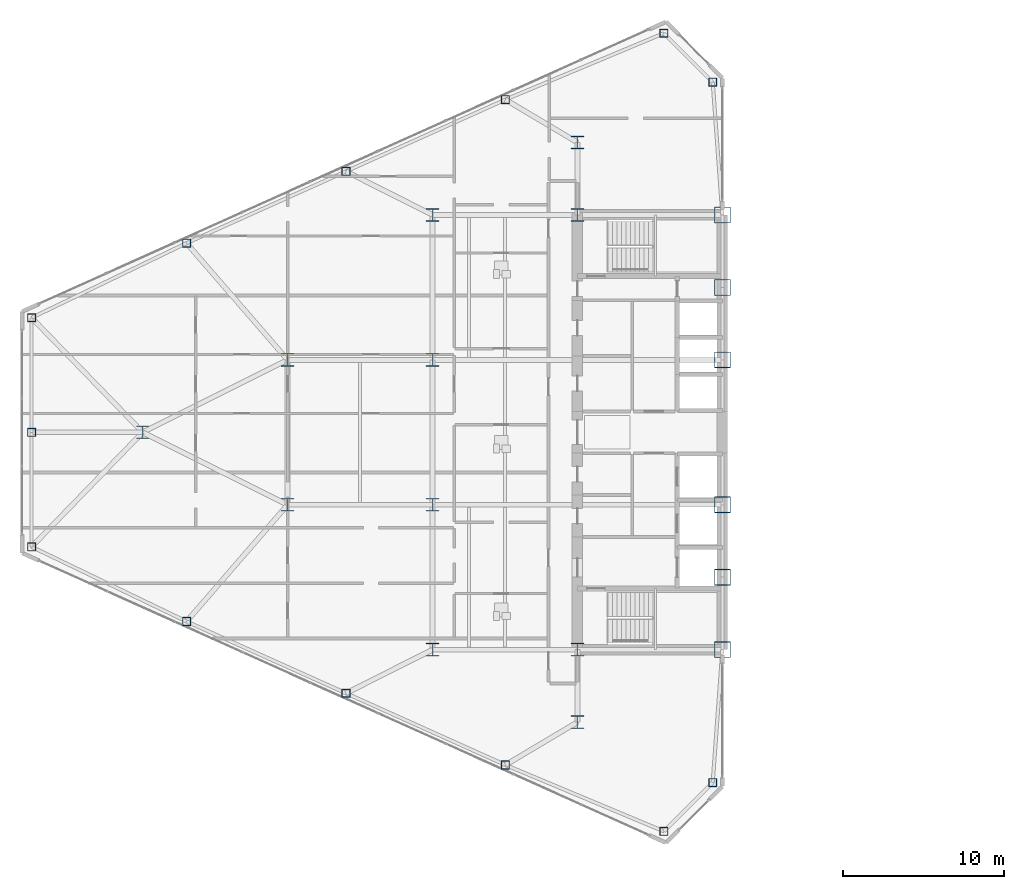
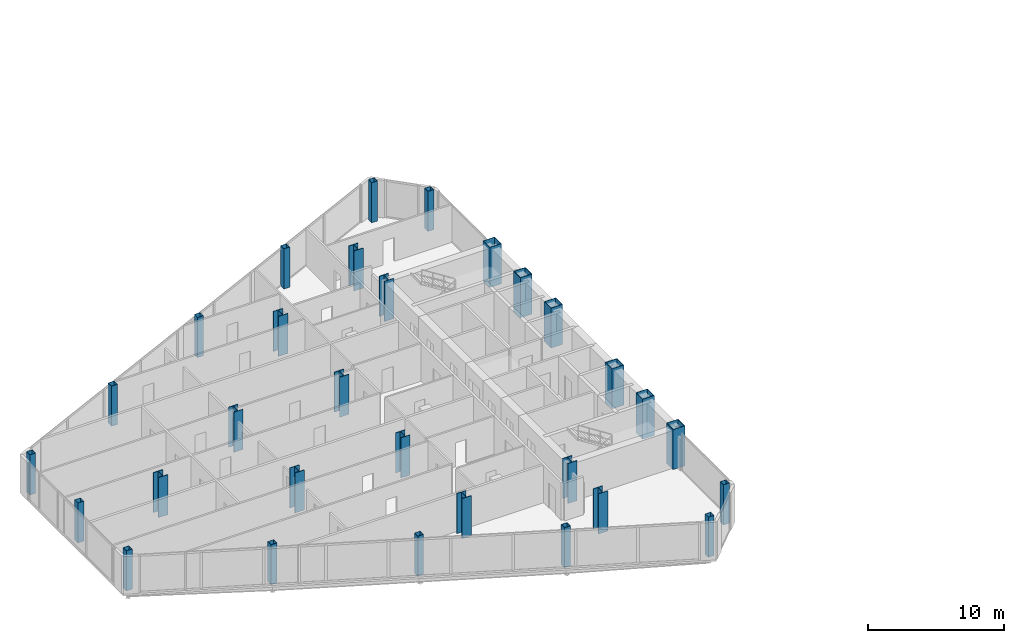
# One storey, part 1 of 27: 30 columns.
"""IFC4 building model written with IfcOpenShell, lengths in metres."""

import ifcopenshell
import ifcopenshell.guid

model = None  # the IFC model being written
_history = None  # IfcOwnerHistory: only IFC2X3 demands one
_inside = {}  # id of a spatial element -> (the spatial element, [elements in it])
_under = {}  # id of a project, library or spatial element -> (it, [spatial elements below it])
_declared = {}  # id of a project -> (the project, [libraries it declares])
_typed = {}  # id of a type object -> (the type object, [elements of that type])
_made_of = {}  # id of a material, layer set ... -> (it, [elements and type objects made of it])


def new_model(schema):
    """Start an empty IFC model of exactly this schema.

    Asked for "IFC4X3", IfcOpenShell would pick the latest addendum, in which some entities
    have other attributes; the version numbers below select the first issue.
    IFC2X3 requires an IfcOwnerHistory on every rooted entity: one is made here for all.
    """
    global model, _history
    if schema == "IFC4X3":
        model = ifcopenshell.file(schema_version=(4, 3, 0, 0))
    else:
        model = ifcopenshell.file(schema=schema)
    _inside.clear()
    _under.clear()
    _declared.clear()
    _typed.clear()
    _made_of.clear()
    _history = None
    if model.schema == "IFC2X3":
        org = make("IfcOrganization", Name="unknown")
        user = make(
            "IfcPersonAndOrganization",
            ThePerson=make("IfcPerson", FamilyName="unknown"),
            TheOrganization=org,
        )
        app = make(
            "IfcApplication",
            ApplicationDeveloper=org,
            Version="unknown",
            ApplicationFullName="unknown",
            ApplicationIdentifier="unknown",
        )
        _history = make(
            "IfcOwnerHistory",
            OwningUser=user,
            OwningApplication=app,
            ChangeAction="ADDED",
            CreationDate=0,
        )
    return model


def make(cls, **values):
    """One entity of the class cls with the attributes given. An attribute that is None is left unset."""
    return model.create_entity(
        cls, **{name: value for name, value in values.items() if value is not None}
    )


def rooted(cls, **values):
    """An entity with a GlobalId (a new one), such as an element, a storey or a relation."""
    return make(cls, GlobalId=ifcopenshell.guid.new(), OwnerHistory=_history, **values)


def si_unit(unit_type, name, prefix=None):
    """IfcSIUnit, for example si_unit("LENGTHUNIT", "METRE", prefix="MILLI")."""
    return make("IfcSIUnit", UnitType=unit_type, Prefix=prefix, Name=name)


def assignment(units):
    """IfcUnitAssignment: the units of a project."""
    return None if units is None else make("IfcUnitAssignment", Units=units)


def point(xyz):
    """IfcCartesianPoint."""
    return None if xyz is None else make("IfcCartesianPoint", Coordinates=xyz)


def direction(xyz):
    """IfcDirection."""
    return None if xyz is None else make("IfcDirection", DirectionRatios=xyz)


def frame(location, z_axis=None, x_axis=None):
    """IfcAxis2Placement3D, a coordinate frame: its origin and axes. An axis left out is left unset."""
    return make(
        "IfcAxis2Placement3D",
        Location=point(location),
        Axis=direction(z_axis),
        RefDirection=direction(x_axis),
    )


def frame_2d(location, x_axis=None):
    """IfcAxis2Placement2D, a coordinate frame in the plane: its origin and x axis."""
    return make(
        "IfcAxis2Placement2D", Location=point(location), RefDirection=direction(x_axis)
    )


def origin():
    """The frame at (0, 0, 0) with its axes left unset."""
    return frame((0.0, 0.0, 0.0))


def origin_2d():
    """The frame at (0, 0) in the plane with its x axis left unset."""
    return frame_2d((0.0, 0.0))


def place(relative_to, where):
    """IfcLocalPlacement: puts the frame where relative to a parent placement (None: the world)."""
    return make(
        "IfcLocalPlacement", PlacementRelTo=relative_to, RelativePlacement=where
    )


def context(
    kind, dimensions, precision=None, world=None, true_north=None, identifier=None
):
    """IfcGeometricRepresentationContext, for example the 3D "Model" context."""
    return make(
        "IfcGeometricRepresentationContext",
        ContextIdentifier=identifier,
        ContextType=kind,
        CoordinateSpaceDimension=dimensions,
        Precision=precision,
        WorldCoordinateSystem=world,
        TrueNorth=true_north,
    )


def subcontext(parent, identifier, kind, view, scale=None):
    """IfcGeometricRepresentationSubContext, for example "Body" below "Model"."""
    return make(
        "IfcGeometricRepresentationSubContext",
        ContextIdentifier=identifier,
        ContextType=kind,
        ParentContext=parent,
        TargetScale=scale,
        TargetView=view,
    )


def project(units=None, contexts=None):
    """IfcProject with its units and contexts."""
    return rooted(
        "IfcProject",
        Name="project",
        RepresentationContexts=contexts,
        UnitsInContext=assignment(units),
    )


def spatial(cls, under=None, at=None, **own):
    """A site, building, storey or space (cls), placed at a placement, below another one or the project."""
    s = rooted(cls, ObjectPlacement=at, **own)
    if under is not None:
        _under.setdefault(under.id(), (under, []))[1].append(s)
    return s


def profile(cls, at=None, kind="AREA", **sizes):
    """A parametric profile (cls). Its sizes go by their IFC names, for example OverallWidth=200.0."""
    return make(cls, ProfileType=kind, Position=at, **sizes)


def hollow_rectangle(**sizes):
    """IfcRectangleHollowProfileDef."""
    return profile("IfcRectangleHollowProfileDef", **sizes)


def i_section(**sizes):
    """IfcIShapeProfileDef."""
    return profile("IfcIShapeProfileDef", **sizes)


def extrude(swept, where, along, depth):
    """IfcExtrudedAreaSolid: the profile swept, set in the frame where, extruded along a direction by depth."""
    return make(
        "IfcExtrudedAreaSolid",
        SweptArea=swept,
        Position=where,
        ExtrudedDirection=direction(along),
        Depth=depth,
    )


def shape(context_of_items, identifier, shape_type, items):
    """IfcShapeRepresentation: the items that make up one representation, for example the "Body"."""
    return make(
        "IfcShapeRepresentation",
        ContextOfItems=context_of_items,
        RepresentationIdentifier=identifier,
        RepresentationType=shape_type,
        Items=items,
    )


def source(mapping_origin, context_of_items, identifier, shape_type, items):
    """IfcRepresentationMap: a shape defined once, which mapped items show again and again."""
    return make(
        "IfcRepresentationMap",
        MappingOrigin=mapping_origin,
        MappedRepresentation=shape(context_of_items, identifier, shape_type, items),
    )


def transform(
    local_origin,
    x_axis=None,
    y_axis=None,
    z_axis=None,
    scale=None,
    scale2=None,
    scale3=None,
    uniform=True,
):
    """IfcCartesianTransformationOperator3D, or its non-uniform kind. x_axis, y_axis, z_axis: its Axis1, 2, 3."""
    if uniform:
        return make(
            "IfcCartesianTransformationOperator3D",
            Axis1=direction(x_axis),
            Axis2=direction(y_axis),
            LocalOrigin=point(local_origin),
            Scale=scale,
            Axis3=direction(z_axis),
        )
    return make(
        "IfcCartesianTransformationOperator3DnonUniform",
        Axis1=direction(x_axis),
        Axis2=direction(y_axis),
        LocalOrigin=point(local_origin),
        Scale=scale,
        Axis3=direction(z_axis),
        Scale2=scale2,
        Scale3=scale3,
    )


def mapped(mapping_source, mapping_target):
    """IfcMappedItem: shows the shape of a source again, moved by a transform."""
    return make(
        "IfcMappedItem", MappingSource=mapping_source, MappingTarget=mapping_target
    )


def material(Name=None, Category=None):
    """IfcMaterial."""
    return make("IfcMaterial", Name=Name, Category=Category)


def material_profile(
    of_material, cross_section, Name=None, Category=None, Priority=None
):
    """IfcMaterialProfile: a cross section and its material."""
    return make(
        "IfcMaterialProfile",
        Name=Name,
        Material=of_material,
        Profile=cross_section,
        Priority=Priority,
        Category=Category,
    )


def profile_set(profiles, Name=None, composite=None):
    """IfcMaterialProfileSet."""
    return make(
        "IfcMaterialProfileSet",
        Name=Name,
        MaterialProfiles=profiles,
        CompositeProfile=composite,
    )


def made_of(thing, what):
    """Note that an element or type object is made of a material, layer set ...; save() writes the relation."""
    if what is not None:
        _made_of.setdefault(what.id(), (what, []))[1].append(thing)
    return thing


def type_object(cls, material=None, **own):
    """A type object (cls), such as IfcWallType, which elements share."""
    return made_of(rooted(cls, **own), material)


def type_shapes(of_type, sources):
    """Give a type object the sources (RepresentationMaps) that its elements show as mapped items."""
    of_type.RepresentationMaps = sources


def element(
    cls,
    number,
    at=None,
    inside=None,
    cuts=None,
    type_object=None,
    material=None,
    context=None,
    identifier="Body",
    shape_type=None,
    held_by="IfcProductDefinitionShape",
    body=None,
    shapes=None,
    **own,
):
    """One element of the class cls, such as IfcWall. Its Tag is "e" and its number.

    at: its placement. inside: the storey or other place that contains it. cuts: it is an
    opening in that element (IfcRelVoidsElement). A single representation is given by context,
    identifier, shape_type and body (its items); several are given by shapes. held_by: the class
    of the entity that holds the representations. save() writes the other relations.
    """
    e = rooted(cls, Tag="e%d" % number, ObjectPlacement=at, **own)
    if body is not None:
        shapes = [shape(context, identifier, shape_type, body)]
    if shapes is not None:
        e.Representation = make(held_by, Representations=shapes)
    if inside is not None:
        _inside.setdefault(inside.id(), (inside, []))[1].append(e)
    if cuts is not None:
        rooted(
            "IfcRelVoidsElement", RelatingBuildingElement=cuts, RelatedOpeningElement=e
        )
    if type_object is not None:
        _typed.setdefault(type_object.id(), (type_object, []))[1].append(e)
    return made_of(e, material)


def aggregate(whole, parts):
    """IfcRelAggregates: a whole, such as a stair, and the parts it consists of."""
    return rooted("IfcRelAggregates", RelatingObject=whole, RelatedObjects=parts)


def save(model, path):
    """Write the relations noted so far, then the file.

    IfcRelAggregates (storeys below a building ...), IfcRelContainedInSpatialStructure (elements
    in a storey), IfcRelDefinesByType, IfcRelAssociatesMaterial and IfcRelDeclares: one each for
    every whole, place, type object, material and project.
    """
    for whole, parts in _under.values():
        aggregate(whole, parts)
    for where, things in _inside.values():
        rooted(
            "IfcRelContainedInSpatialStructure",
            RelatedElements=things,
            RelatingStructure=where,
        )
    for kind, things in _typed.values():
        rooted("IfcRelDefinesByType", RelatedObjects=things, RelatingType=kind)
    for what, things in _made_of.values():
        rooted("IfcRelAssociatesMaterial", RelatedObjects=things, RelatingMaterial=what)
    for by, libraries in _declared.values():
        rooted("IfcRelDeclares", RelatingContext=by, RelatedDefinitions=libraries)
    model.write(path)


model = new_model("IFC4")

# Units and contexts
model_context = context("Model", 3, precision=1e-05, world=origin(), true_north=direction((0.0, 1.0)))
body_context = subcontext(model_context, "Body", "Model", "MODEL_VIEW")
ifc_project = project(units=[si_unit("LENGTHUNIT", "METRE"), si_unit("AREAUNIT", "SQUARE_METRE"), si_unit("VOLUMEUNIT", "CUBIC_METRE"), si_unit("PLANEANGLEUNIT", "RADIAN"), si_unit("MASSUNIT", "GRAM", prefix="KILO")], contexts=[model_context])

# Site, building, storey
site_placement = place(None, origin())
site = spatial("IfcSite", under=ifc_project, at=site_placement, CompositionType="ELEMENT")
building_placement = place(site_placement, origin())
building = spatial("IfcBuilding", under=site, at=building_placement, Name="Seokmaru Belvedere", CompositionType="ELEMENT")
storey_placement = place(building_placement, frame((0.0, 0.0, 96.0)))
storey = spatial("IfcBuildingStorey", under=building, at=storey_placement, Name="L25", CompositionType="ELEMENT", Elevation=96.0)

# Columns
ifc_material_1 = material(Name="Steel SM355 (355 MPa)", Category="steel")
ifc_material_profile_1 = material_profile(ifc_material_1, hollow_rectangle(XDim=0.5, YDim=0.5, WallThickness=0.02001953125, at=origin_2d()), Name="HSS-500x500x20")
ifc_profile_set_1 = profile_set([ifc_material_profile_1], Name="Steel SM355 (355 MPa)")
column_type_1 = type_object("IfcColumnType", Name="Perimeter Facet Column HSS-500", PredefinedType="COLUMN", material=ifc_profile_set_1)
shared_shape_1 = source(origin(), body_context, "Body", "SweptSolid", [
    extrude(hollow_rectangle(XDim=0.5, YDim=0.5, WallThickness=0.02001953125, at=origin_2d()), origin(), (0.0, 0.0, 1.0), 3.60009765625),
])
type_shapes(column_type_1, [shared_shape_1])
for number, where, z_axis, x_axis, name in (
    (1, (-28.10009765625, -21.75146484375, 0.0), (0.0, 0.0, 1.0), (1.0, 0.0, 0.0), "L25 Column WF1"),
    (2, (-28.10009765625, 21.75146484375, 0.0), (0.0, 0.0, 1.0), (1.0, 0.0, 0.0), "L25 Column WF2"),
    (3, (-31.13134765625, 24.782958984375, 0.0), (0.0, 0.0, 1.0), (1.0, 0.0, 0.0), "L25 Column WF3"),
    (4, (-70.39990234375, 7.112060546875, 0.0), (0.0, 0.0, 1.0), (1.0, 0.0, 0.0), "L25 Column WF4"),
    (5, (-70.39990234375, -7.112060546875, 0.0), (0.0, 0.0, 1.0), (1.0, 0.0, 0.0), "L25 Column WF5"),
    (6, (-31.13134765625, -24.782958984375, 0.0), (0.0, 0.0, 1.0), (1.0, 0.0, 0.0), "L25 Column WF6"),
    (7, (-40.97265625, -20.661376953125, 0.0), (0.0, 0.0, 1.0), (1.0, 0.0, 0.0), "L25 Column WFLK_S1"),
    (8, (-50.875, -16.205322265625, 0.0), (0.0, 0.0, 1.0), (1.0, 0.0, 0.0), "L25 Column WFLK_S2"),
    (9, (-60.777587890625, -11.749267578125, 0.0), (0.0, 0.0, 1.0), (1.0, 0.0, 0.0), "L25 Column WFLK_S3"),
    (10, (-40.97265625, 20.661376953125, 0.0), (0.0, 0.0, 1.0), (1.0, 0.0, 0.0), "L25 Column WFLK_N1"),
    (11, (-50.875, 16.205322265625, 0.0), (0.0, 0.0, 1.0), (1.0, 0.0, 0.0), "L25 Column WFLK_N2"),
    (12, (-60.777587890625, 11.749267578125, 0.0), (0.0, 0.0, 1.0), (1.0, 0.0, 0.0), "L25 Column WFLK_N3"),
    (13, (-70.39990234375, 0.0, 0.0), (0.0, 0.0, 1.0), (1.0, 0.0, 0.0), "L25 Column WF_APXM"),
):
    element("IfcColumn", number, at=place(storey_placement, frame(where, z_axis=z_axis, x_axis=x_axis)), inside=storey, type_object=column_type_1, Name=name, PredefinedType="COLUMN", context=body_context, shape_type="MappedRepresentation", body=[
        mapped(shared_shape_1, transform((0.0, 0.0, 0.0), scale=1.0)),
    ])
ifc_material_2 = material(Name="Steel HSA650 (650 MPa)", Category="steel")
ifc_material_profile_2 = material_profile(ifc_material_2, hollow_rectangle(XDim=1.0, YDim=1.0, WallThickness=0.0419921875, at=origin_2d()), Name="BOX-1000x1000x42")
ifc_profile_set_2 = profile_set([ifc_material_profile_2], Name="Steel HSA650 (650 MPa)")
column_type_2 = type_object("IfcColumnType", Name="Portal Spine Column BOX-1000", PredefinedType="COLUMN", material=ifc_profile_set_2)
shared_shape_2 = source(origin(), body_context, "Body", "SweptSolid", [
    extrude(hollow_rectangle(XDim=1.0, YDim=1.0, WallThickness=0.0419921875, at=origin_2d()), origin(), (0.0, 0.0, 1.0), 3.60009765625),
])
type_shapes(column_type_2, [shared_shape_2])
for number, where, z_axis, x_axis, name in (
    (14, (-27.5, -13.5, 0.0), (0.0, 0.0, 1.0), (1.0, 0.0, 0.0), "L25 Column WS1"),
    (15, (-27.5, -9.0, 0.0), (0.0, 0.0, 1.0), (1.0, 0.0, 0.0), "L25 Column WS2"),
    (16, (-27.5, -4.5, 0.0), (0.0, 0.0, 1.0), (1.0, 0.0, 0.0), "L25 Column WS3"),
    (17, (-27.5, 4.5, 0.0), (0.0, 0.0, 1.0), (1.0, 0.0, 0.0), "L25 Column WS4"),
    (18, (-27.5, 9.0, 0.0), (0.0, 0.0, 1.0), (1.0, 0.0, 0.0), "L25 Column WS5"),
    (19, (-27.5, 13.5, 0.0), (0.0, 0.0, 1.0), (1.0, 0.0, 0.0), "L25 Column WS6"),
):
    element("IfcColumn", number, at=place(storey_placement, frame(where, z_axis=z_axis, x_axis=x_axis)), inside=storey, type_object=column_type_2, Name=name, PredefinedType="COLUMN", context=body_context, shape_type="MappedRepresentation", body=[
        mapped(shared_shape_2, transform((0.0, 0.0, 0.0), scale=1.0)),
    ])
ifc_material_profile_3 = material_profile(ifc_material_1, i_section(OverallWidth=0.800048828125, OverallDepth=0.800048828125, WebThickness=0.031982421875, FlangeThickness=0.050048828125, at=origin_2d()), Name="H-800x800x32x50")
ifc_profile_set_3 = profile_set([ifc_material_profile_3], Name="Steel SM355 (355 MPa)")
column_type_3 = type_object("IfcColumnType", Name="Lower-Mid Interior Column H-800", PredefinedType="COLUMN", material=ifc_profile_set_3)
shared_shape_3 = source(origin(), body_context, "Body", "SweptSolid", [
    extrude(i_section(OverallWidth=0.800048828125, OverallDepth=0.800048828125, WebThickness=0.031982421875, FlangeThickness=0.050048828125, at=origin_2d()), origin(), (0.0, 0.0, 1.0), 3.60009765625),
])
type_shapes(column_type_3, [shared_shape_3])
for number, where, z_axis, x_axis, name in (
    (20, (-36.5, -18.0, 0.0), (0.0, 0.0, 1.0), (1.0, 0.0, 0.0), "L25 Column WC1"),
    (21, (-36.5, -13.5, 0.0), (0.0, 0.0, 1.0), (1.0, 0.0, 0.0), "L25 Column WC2"),
    (22, (-36.5, 13.5, 0.0), (0.0, 0.0, 1.0), (1.0, 0.0, 0.0), "L25 Column WC3"),
    (23, (-36.5, 18.0, 0.0), (0.0, 0.0, 1.0), (1.0, 0.0, 0.0), "L25 Column WC4"),
    (24, (-45.5, -13.5, 0.0), (0.0, 0.0, 1.0), (1.0, 0.0, 0.0), "L25 Column WG5_1"),
    (25, (-45.5, -4.5, 0.0), (0.0, 0.0, 1.0), (1.0, 0.0, 0.0), "L25 Column WG5_2"),
    (26, (-45.5, 4.5, 0.0), (0.0, 0.0, 1.0), (1.0, 0.0, 0.0), "L25 Column WG5_3"),
    (27, (-45.5, 13.5, 0.0), (0.0, 0.0, 1.0), (1.0, 0.0, 0.0), "L25 Column WG5_4"),
    (28, (-54.5, -4.5, 0.0), (0.0, 0.0, 1.0), (1.0, 0.0, 0.0), "L25 Column WG4P_1"),
    (29, (-54.5, 4.5, 0.0), (0.0, 0.0, 1.0), (1.0, 0.0, 0.0), "L25 Column WG4P_2"),
    (30, (-63.5, 0.0, 0.0), (0.0, 0.0, 1.0), (1.0, 0.0, 0.0), "L25 Column WG3P_1"),
):
    element("IfcColumn", number, at=place(storey_placement, frame(where, z_axis=z_axis, x_axis=x_axis)), inside=storey, type_object=column_type_3, Name=name, PredefinedType="COLUMN", context=body_context, shape_type="MappedRepresentation", body=[
        mapped(shared_shape_3, transform((0.0, 0.0, 0.0), scale=1.0)),
    ])

save(model, "model.ifc")
